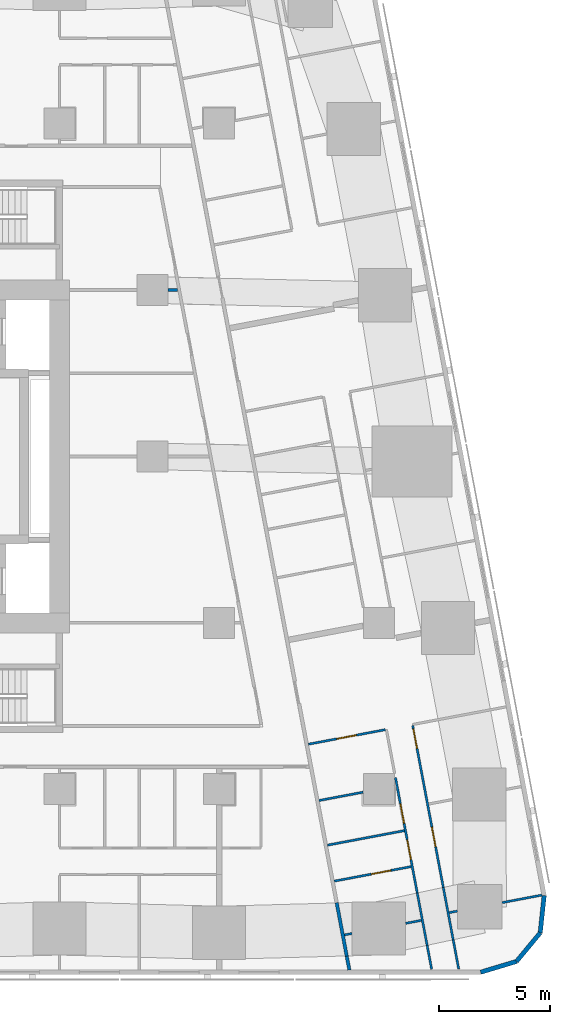
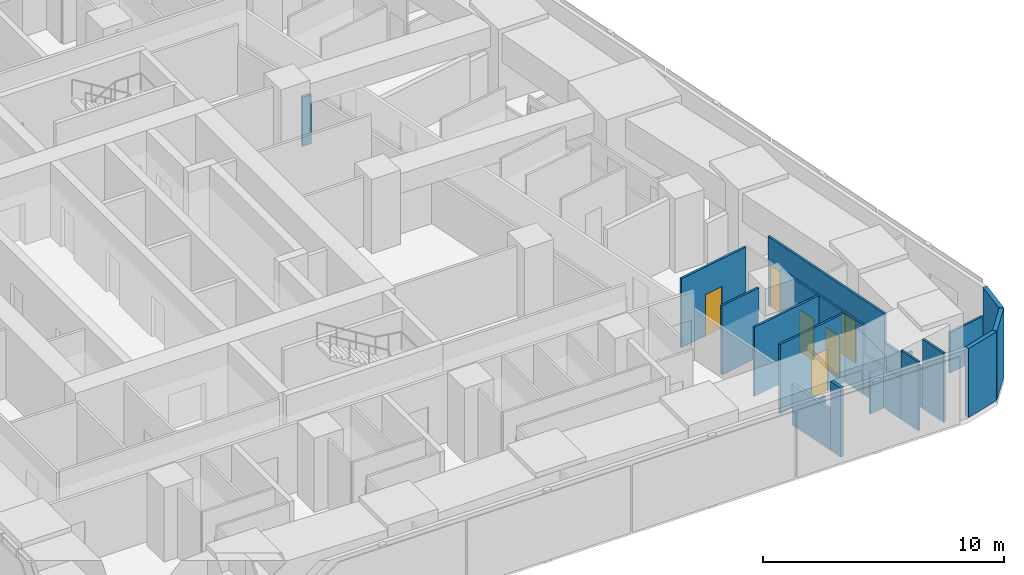
# One storey, part 10 of 17: 20 walls, 6 doors, 6 openings.
"""IFC4 building model written with IfcOpenShell, lengths in metres."""

import ifcopenshell
import ifcopenshell.guid

model = None  # the IFC model being written
_history = None  # IfcOwnerHistory: only IFC2X3 demands one
_inside = {}  # id of a spatial element -> (the spatial element, [elements in it])
_under = {}  # id of a project, library or spatial element -> (it, [spatial elements below it])
_declared = {}  # id of a project -> (the project, [libraries it declares])
_typed = {}  # id of a type object -> (the type object, [elements of that type])
_made_of = {}  # id of a material, layer set ... -> (it, [elements and type objects made of it])


def new_model(schema):
    """Start an empty IFC model of exactly this schema.

    Asked for "IFC4X3", IfcOpenShell would pick the latest addendum, in which some entities
    have other attributes; the version numbers below select the first issue.
    IFC2X3 requires an IfcOwnerHistory on every rooted entity: one is made here for all.
    """
    global model, _history
    if schema == "IFC4X3":
        model = ifcopenshell.file(schema_version=(4, 3, 0, 0))
    else:
        model = ifcopenshell.file(schema=schema)
    _inside.clear()
    _under.clear()
    _declared.clear()
    _typed.clear()
    _made_of.clear()
    _history = None
    if model.schema == "IFC2X3":
        org = make("IfcOrganization", Name="unknown")
        user = make(
            "IfcPersonAndOrganization",
            ThePerson=make("IfcPerson", FamilyName="unknown"),
            TheOrganization=org,
        )
        app = make(
            "IfcApplication",
            ApplicationDeveloper=org,
            Version="unknown",
            ApplicationFullName="unknown",
            ApplicationIdentifier="unknown",
        )
        _history = make(
            "IfcOwnerHistory",
            OwningUser=user,
            OwningApplication=app,
            ChangeAction="ADDED",
            CreationDate=0,
        )
    return model


def make(cls, **values):
    """One entity of the class cls with the attributes given. An attribute that is None is left unset."""
    return model.create_entity(
        cls, **{name: value for name, value in values.items() if value is not None}
    )


def rooted(cls, **values):
    """An entity with a GlobalId (a new one), such as an element, a storey or a relation."""
    return make(cls, GlobalId=ifcopenshell.guid.new(), OwnerHistory=_history, **values)


def si_unit(unit_type, name, prefix=None):
    """IfcSIUnit, for example si_unit("LENGTHUNIT", "METRE", prefix="MILLI")."""
    return make("IfcSIUnit", UnitType=unit_type, Prefix=prefix, Name=name)


def assignment(units):
    """IfcUnitAssignment: the units of a project."""
    return None if units is None else make("IfcUnitAssignment", Units=units)


def point(xyz):
    """IfcCartesianPoint."""
    return None if xyz is None else make("IfcCartesianPoint", Coordinates=xyz)


def direction(xyz):
    """IfcDirection."""
    return None if xyz is None else make("IfcDirection", DirectionRatios=xyz)


def frame(location, z_axis=None, x_axis=None):
    """IfcAxis2Placement3D, a coordinate frame: its origin and axes. An axis left out is left unset."""
    return make(
        "IfcAxis2Placement3D",
        Location=point(location),
        Axis=direction(z_axis),
        RefDirection=direction(x_axis),
    )


def frame_2d(location, x_axis=None):
    """IfcAxis2Placement2D, a coordinate frame in the plane: its origin and x axis."""
    return make(
        "IfcAxis2Placement2D", Location=point(location), RefDirection=direction(x_axis)
    )


def origin():
    """The frame at (0, 0, 0) with its axes left unset."""
    return frame((0.0, 0.0, 0.0))


def place(relative_to, where):
    """IfcLocalPlacement: puts the frame where relative to a parent placement (None: the world)."""
    return make(
        "IfcLocalPlacement", PlacementRelTo=relative_to, RelativePlacement=where
    )


def context(
    kind, dimensions, precision=None, world=None, true_north=None, identifier=None
):
    """IfcGeometricRepresentationContext, for example the 3D "Model" context."""
    return make(
        "IfcGeometricRepresentationContext",
        ContextIdentifier=identifier,
        ContextType=kind,
        CoordinateSpaceDimension=dimensions,
        Precision=precision,
        WorldCoordinateSystem=world,
        TrueNorth=true_north,
    )


def subcontext(parent, identifier, kind, view, scale=None):
    """IfcGeometricRepresentationSubContext, for example "Body" below "Model"."""
    return make(
        "IfcGeometricRepresentationSubContext",
        ContextIdentifier=identifier,
        ContextType=kind,
        ParentContext=parent,
        TargetScale=scale,
        TargetView=view,
    )


def project(units=None, contexts=None):
    """IfcProject with its units and contexts."""
    return rooted(
        "IfcProject",
        Name="project",
        RepresentationContexts=contexts,
        UnitsInContext=assignment(units),
    )


def spatial(cls, under=None, at=None, **own):
    """A site, building, storey or space (cls), placed at a placement, below another one or the project."""
    s = rooted(cls, ObjectPlacement=at, **own)
    if under is not None:
        _under.setdefault(under.id(), (under, []))[1].append(s)
    return s


def profile(cls, at=None, kind="AREA", **sizes):
    """A parametric profile (cls). Its sizes go by their IFC names, for example OverallWidth=200.0."""
    return make(cls, ProfileType=kind, Position=at, **sizes)


def rectangle(**sizes):
    """IfcRectangleProfileDef."""
    return profile("IfcRectangleProfileDef", **sizes)


def extrude(swept, where, along, depth):
    """IfcExtrudedAreaSolid: the profile swept, set in the frame where, extruded along a direction by depth."""
    return make(
        "IfcExtrudedAreaSolid",
        SweptArea=swept,
        Position=where,
        ExtrudedDirection=direction(along),
        Depth=depth,
    )


def shape(context_of_items, identifier, shape_type, items):
    """IfcShapeRepresentation: the items that make up one representation, for example the "Body"."""
    return make(
        "IfcShapeRepresentation",
        ContextOfItems=context_of_items,
        RepresentationIdentifier=identifier,
        RepresentationType=shape_type,
        Items=items,
    )


def material(Name=None, Category=None):
    """IfcMaterial."""
    return make("IfcMaterial", Name=Name, Category=Category)


def layer(
    of_material, thickness, ventilated=None, Name=None, Category=None, Priority=None
):
    """IfcMaterialLayer: one layer of a wall or slab, of a material (None: an air gap)."""
    return make(
        "IfcMaterialLayer",
        Material=of_material,
        LayerThickness=thickness,
        IsVentilated=ventilated,
        Name=Name,
        Category=Category,
        Priority=Priority,
    )


def layer_set(layers, Name=None):
    """IfcMaterialLayerSet."""
    return make("IfcMaterialLayerSet", MaterialLayers=layers, LayerSetName=Name)


def made_of(thing, what):
    """Note that an element or type object is made of a material, layer set ...; save() writes the relation."""
    if what is not None:
        _made_of.setdefault(what.id(), (what, []))[1].append(thing)
    return thing


def type_object(cls, material=None, **own):
    """A type object (cls), such as IfcWallType, which elements share."""
    return made_of(rooted(cls, **own), material)


def element(
    cls,
    number,
    at=None,
    inside=None,
    cuts=None,
    type_object=None,
    material=None,
    context=None,
    identifier="Body",
    shape_type=None,
    held_by="IfcProductDefinitionShape",
    body=None,
    shapes=None,
    **own,
):
    """One element of the class cls, such as IfcWall. Its Tag is "e" and its number.

    at: its placement. inside: the storey or other place that contains it. cuts: it is an
    opening in that element (IfcRelVoidsElement). A single representation is given by context,
    identifier, shape_type and body (its items); several are given by shapes. held_by: the class
    of the entity that holds the representations. save() writes the other relations.
    """
    e = rooted(cls, Tag="e%d" % number, ObjectPlacement=at, **own)
    if body is not None:
        shapes = [shape(context, identifier, shape_type, body)]
    if shapes is not None:
        e.Representation = make(held_by, Representations=shapes)
    if inside is not None:
        _inside.setdefault(inside.id(), (inside, []))[1].append(e)
    if cuts is not None:
        rooted(
            "IfcRelVoidsElement", RelatingBuildingElement=cuts, RelatedOpeningElement=e
        )
    if type_object is not None:
        _typed.setdefault(type_object.id(), (type_object, []))[1].append(e)
    return made_of(e, material)


def fill(opening, filler):
    """IfcRelFillsElement: the door or window that sits in an opening."""
    return rooted(
        "IfcRelFillsElement",
        RelatingOpeningElement=opening,
        RelatedBuildingElement=filler,
    )


def aggregate(whole, parts):
    """IfcRelAggregates: a whole, such as a stair, and the parts it consists of."""
    return rooted("IfcRelAggregates", RelatingObject=whole, RelatedObjects=parts)


def save(model, path):
    """Write the relations noted so far, then the file.

    IfcRelAggregates (storeys below a building ...), IfcRelContainedInSpatialStructure (elements
    in a storey), IfcRelDefinesByType, IfcRelAssociatesMaterial and IfcRelDeclares: one each for
    every whole, place, type object, material and project.
    """
    for whole, parts in _under.values():
        aggregate(whole, parts)
    for where, things in _inside.values():
        rooted(
            "IfcRelContainedInSpatialStructure",
            RelatedElements=things,
            RelatingStructure=where,
        )
    for kind, things in _typed.values():
        rooted("IfcRelDefinesByType", RelatedObjects=things, RelatingType=kind)
    for what, things in _made_of.values():
        rooted("IfcRelAssociatesMaterial", RelatedObjects=things, RelatingMaterial=what)
    for by, libraries in _declared.values():
        rooted("IfcRelDeclares", RelatingContext=by, RelatedDefinitions=libraries)
    model.write(path)


model = new_model("IFC4")

# Units and contexts
model_context = context("Model", 3, precision=1e-05, world=origin(), true_north=direction((0.0, 1.0)))
body_context = subcontext(model_context, "Body", "Model", "MODEL_VIEW")
ifc_project = project(units=[si_unit("LENGTHUNIT", "METRE"), si_unit("AREAUNIT", "SQUARE_METRE"), si_unit("VOLUMEUNIT", "CUBIC_METRE"), si_unit("PLANEANGLEUNIT", "RADIAN"), si_unit("MASSUNIT", "GRAM", prefix="KILO")], contexts=[model_context])

# Site, building, storey
site_placement = place(None, origin())
site = spatial("IfcSite", under=ifc_project, at=site_placement, CompositionType="ELEMENT")
building_placement = place(site_placement, origin())
building = spatial("IfcBuilding", under=site, at=building_placement, Name="Sheger Commons Tower", CompositionType="ELEMENT")
storey_placement = place(building_placement, frame((0.0, 0.0, 204.949951171875)))
storey = spatial("IfcBuildingStorey", under=building, at=storey_placement, Name="L52", CompositionType="ELEMENT", Elevation=204.949951171875)

# Walls
ifc_material_1 = material(Name="Hollow concrete block masonry, skimmed both sides", Category="masonry")
ifc_layer_1 = layer(ifc_material_1, 0.14990234375)
ifc_layer_set_1 = layer_set([ifc_layer_1], Name="CORRIDOR WALL 150")
wall_type_1 = type_object("IfcWallType", Name="CORRIDOR WALL 150", PredefinedType="SOLIDWALL", material=ifc_layer_set_1)
wall_1_placement = place(storey_placement, frame((41.299072265625, 2.385009765625, 0.0), z_axis=(0.0, 0.0, 1.0), x_axis=(0.18529731833, -0.982682504077, 0.0)))
element("IfcWall", 1, at=wall_1_placement, inside=storey, type_object=wall_type_1, Name="Corridor wall L52", PredefinedType="SOLIDWALL", context=body_context, shape_type="SweptSolid", body=[
    extrude(rectangle(XDim=2.45458984375, YDim=0.14990234375, at=frame_2d((1.227294921875, 0.0))), origin(), (0.0, 0.0, 1.0), 2.050048828125),
])
wall_2_placement = place(storey_placement, frame((41.75390625, -0.027099609375, 0.0), z_axis=(0.0, 0.0, 1.0), x_axis=(0.186404157015, -0.982473149886, 0.0)))
element("IfcWall", 2, at=wall_2_placement, inside=storey, type_object=wall_type_1, Name="Corridor wall L52", PredefinedType="SOLIDWALL", context=body_context, shape_type="SweptSolid", body=[
    extrude(rectangle(XDim=0.634033203125, YDim=0.14990234375, at=frame_2d((0.31689453125, 0.0))), origin(), (0.0, 0.0, 1.0), 3.5),
])
ifc_material_2 = material(Name="Rendered concrete block masonry, dark grey", Category="masonry")
ifc_layer_2 = layer(ifc_material_2, 0.199951171875)
ifc_layer_set_2 = layer_set([ifc_layer_2], Name="FACADE WALL 200")
wall_type_2 = type_object("IfcWallType", Name="FACADE WALL 200", PredefinedType="SOLIDWALL", material=ifc_layer_set_2)
wall_3_placement = place(storey_placement, frame((47.791015625, -0.75, 0.0), z_axis=(0.0, 0.0, 1.0), x_axis=(0.957455232626, 0.288581838509, 0.0)))
element("IfcWall", 3, at=wall_3_placement, inside=storey, type_object=wall_type_2, Name="Facade wall L52", PredefinedType="SOLIDWALL", context=body_context, shape_type="SweptSolid", body=[
    extrude(rectangle(XDim=1.687744140625, YDim=0.199951171875, at=frame_2d((0.84375, 0.0))), origin(), (0.0, 0.0, 1.0), 3.5),
])
wall_4_placement = place(storey_placement, frame((49.406982421875, -0.262939453125, 0.0), z_axis=(0.0, 0.0, 1.0), x_axis=(0.638042593423, 0.770001070764, 0.0)))
element("IfcWall", 4, at=wall_4_placement, inside=storey, type_object=wall_type_2, Name="Facade wall L52", PredefinedType="SOLIDWALL", context=body_context, shape_type="SweptSolid", body=[
    extrude(rectangle(XDim=1.672607421875, YDim=0.199951171875, at=frame_2d((0.83642578125, 0.0))), origin(), (0.0, 0.0, 1.0), 3.5),
])
wall_5_placement = place(storey_placement, frame((50.47412109375, 1.02490234375, 0.0), z_axis=(0.0, 0.0, 1.0), x_axis=(0.106047815515, 0.994361031429, 0.0)))
element("IfcWall", 5, at=wall_5_placement, inside=storey, type_object=wall_type_2, Name="Facade wall L52", PredefinedType="SOLIDWALL", context=body_context, shape_type="SweptSolid", body=[
    extrude(rectangle(XDim=1.6875, YDim=0.199951171875, at=frame_2d((0.84375, 0.0))), origin(), (0.0, 0.0, 1.0), 3.5),
])

# Wall, openings, doors
ifc_material_3 = material(Name="Gypsum board on steel studs", Category="steel")
ifc_layer_3 = layer(ifc_material_3, 0.10009765625)
ifc_layer_set_3 = layer_set([ifc_layer_3], Name="PARTITION 100")
wall_type_3 = type_object("IfcWallType", Name="PARTITION 100", PredefinedType="PARTITIONING", material=ifc_layer_set_3)
wall_6_placement = place(storey_placement, frame((44.72705078125, 10.365966796875, 0.0), z_axis=(0.0, 0.0, 1.0), x_axis=(0.185678775129, -0.982610498858, 0.0)))
wall_6 = element("IfcWall", 6, at=wall_6_placement, inside=storey, type_object=wall_type_3, Name="Partition L52", PredefinedType="PARTITIONING", context=body_context, shape_type="SweptSolid", body=[
    extrude(rectangle(XDim=7.421142578125, YDim=0.10009765625, at=frame_2d((3.71044921875, 0.0))), origin(), (0.0, 0.0, 1.0), 3.5),
])
opening_1_placement = place(wall_6_placement, frame((0.15087890625, 0.0, 0.0)))
opening_1 = element("IfcOpeningElement", 7, at=opening_1_placement, cuts=wall_6, Name="Opening D2", PredefinedType="OPENING", context=body_context, shape_type="SweptSolid", body=[
    extrude(rectangle(XDim=0.89990234375, YDim=2.10009765625, at=frame_2d((0.449951171875, 1.050048828125))), frame((0.0, 0.06005859375, 0.0), z_axis=(0.0, -1.0, 0.0), x_axis=(1.0, 0.0, 0.0)), (0.0, 0.0, 1.0), 0.1201171875),
])
opening_2_placement = place(wall_6_placement, frame((4.64990234375, 0.0, 0.0)))
opening_2 = element("IfcOpeningElement", 8, at=opening_2_placement, cuts=wall_6, Name="Opening D2", PredefinedType="OPENING", context=body_context, shape_type="SweptSolid", body=[
    extrude(rectangle(XDim=0.89990234375, YDim=2.10009765625, at=frame_2d((0.449951171875, 1.050048828125))), frame((0.0, 0.06005859375, 0.0), z_axis=(0.0, -1.0, 0.0), x_axis=(1.0, 0.0, 0.0)), (0.0, 0.0, 1.0), 0.1201171875),
])
ifc_material_4 = material(Name="Timber door set", Category="wood")
door_type = type_object("IfcDoorType", Name="INTERNAL DOOR 900x2100", OperationType="NOTDEFINED", PredefinedType="DOOR", material=ifc_material_4)
door_1_placement = place(opening_1_placement, origin())
door_1 = element("IfcDoor", 9, at=door_1_placement, inside=storey, type_object=door_type, Name="Main bedroom door", OperationType="SINGLE_SWING_LEFT", OverallHeight=2.10009765625, OverallWidth=0.89990234375, PredefinedType="DOOR", context=body_context, shape_type="SweptSolid", body=[
    extrude(rectangle(XDim=0.89990234375, YDim=2.10009765625, at=frame_2d((0.449951171875, 1.050048828125))), frame((0.0, 0.02490234375, 0.0), z_axis=(0.0, -1.0, 0.0), x_axis=(1.0, 0.0, 0.0)), (0.0, 0.0, 1.0), 0.050048828125),
])
fill(opening_1, door_1)
door_2_placement = place(opening_2_placement, origin())
door_2 = element("IfcDoor", 10, at=door_2_placement, inside=storey, type_object=door_type, Name="Bedroom 2 door", OperationType="SINGLE_SWING_LEFT", OverallHeight=2.10009765625, OverallWidth=0.89990234375, PredefinedType="DOOR", context=body_context, shape_type="SweptSolid", body=[
    extrude(rectangle(XDim=0.89990234375, YDim=2.10009765625, at=frame_2d((0.449951171875, 1.050048828125))), frame((0.0, 0.02490234375, 0.0), z_axis=(0.0, -1.0, 0.0), x_axis=(1.0, 0.0, 0.0)), (0.0, 0.0, 1.0), 0.050048828125),
])
fill(opening_2, door_2)

# Walls
wall_7_placement = place(storey_placement, frame((46.10498046875, 3.073974609375, 0.0), z_axis=(0.0, 0.0, 1.0), x_axis=(0.185631845838, -0.982619365681, 0.0)))
element("IfcWall", 11, at=wall_7_placement, inside=storey, type_object=wall_type_3, Name="Partition L52", PredefinedType="PARTITIONING", context=body_context, shape_type="SweptSolid", body=[
    extrude(rectangle(XDim=2.40283203125, YDim=0.10009765625, at=frame_2d((1.201416015625, 0.0))), origin(), (0.0, 0.0, 1.0), 2.050048828125),
])
wall_8_placement = place(storey_placement, frame((46.551025390625, 0.712890625, 0.0), z_axis=(0.0, 0.0, 1.0), x_axis=(0.185407859198, -0.982661653748, 0.0)))
element("IfcWall", 12, at=wall_8_placement, inside=storey, type_object=wall_type_3, Name="Partition L52", PredefinedType="PARTITIONING", context=body_context, shape_type="SweptSolid", body=[
    extrude(rectangle(XDim=1.343017578125, YDim=0.10009765625, at=frame_2d((0.67138671875, 0.0))), origin(), (0.0, 0.0, 1.0), 3.5),
])

# Wall, openings, doors
wall_9_placement = place(storey_placement, frame((43.948974609375, 8.02001953125, 0.0), z_axis=(0.0, 0.0, 1.0), x_axis=(0.185656792073, -0.982614652627, 0.0)))
wall_9 = element("IfcWall", 13, at=wall_9_placement, inside=storey, type_object=wall_type_3, Name="Partition L52", PredefinedType="PARTITIONING", context=body_context, shape_type="SweptSolid", body=[
    extrude(rectangle(XDim=5.2890625, YDim=0.10009765625, at=frame_2d((2.64453125, 0.0))), origin(), (0.0, 0.0, 1.0), 3.5),
])
opening_3_placement = place(wall_9_placement, frame((1.199951171875, 0.0, 0.0)))
opening_3 = element("IfcOpeningElement", 14, at=opening_3_placement, cuts=wall_9, Name="Opening D2", PredefinedType="OPENING", context=body_context, shape_type="SweptSolid", body=[
    extrude(rectangle(XDim=0.89990234375, YDim=2.10009765625, at=frame_2d((0.449951171875, 1.050048828125))), frame((0.0, 0.06005859375, 0.0), z_axis=(0.0, -1.0, 0.0), x_axis=(1.0, 0.0, 0.0)), (0.0, 0.0, 1.0), 0.1201171875),
])
opening_4_placement = place(wall_9_placement, frame((2.85498046875, 0.0, 0.0)))
opening_4 = element("IfcOpeningElement", 15, at=opening_4_placement, cuts=wall_9, Name="Opening D2", PredefinedType="OPENING", context=body_context, shape_type="SweptSolid", body=[
    extrude(rectangle(XDim=0.89990234375, YDim=2.10009765625, at=frame_2d((0.449951171875, 1.050048828125))), frame((0.0, 0.06005859375, 0.0), z_axis=(0.0, -1.0, 0.0), x_axis=(1.0, 0.0, 0.0)), (0.0, 0.0, 1.0), 0.1201171875),
])
door_3_placement = place(opening_3_placement, origin())
door_3 = element("IfcDoor", 16, at=door_3_placement, inside=storey, type_object=door_type, Name="Bathroom door", OperationType="SINGLE_SWING_LEFT", OverallHeight=2.10009765625, OverallWidth=0.89990234375, PredefinedType="DOOR", context=body_context, shape_type="SweptSolid", body=[
    extrude(rectangle(XDim=0.89990234375, YDim=2.10009765625, at=frame_2d((0.449951171875, 1.050048828125))), frame((0.0, 0.02490234375, 0.0), z_axis=(0.0, -1.0, 0.0), x_axis=(1.0, 0.0, 0.0)), (0.0, 0.0, 1.0), 0.050048828125),
])
fill(opening_3, door_3)
door_4_placement = place(opening_4_placement, origin())
door_4 = element("IfcDoor", 17, at=door_4_placement, inside=storey, type_object=door_type, Name="Store door", OperationType="SINGLE_SWING_LEFT", OverallHeight=2.10009765625, OverallWidth=0.89990234375, PredefinedType="DOOR", context=body_context, shape_type="SweptSolid", body=[
    extrude(rectangle(XDim=0.89990234375, YDim=2.10009765625, at=frame_2d((0.449951171875, 1.050048828125))), frame((0.0, 0.02490234375, 0.0), z_axis=(0.0, -1.0, 0.0), x_axis=(1.0, 0.0, 0.0)), (0.0, 0.0, 1.0), 0.050048828125),
])
fill(opening_4, door_4)

# Walls
wall_10_placement = place(storey_placement, frame((44.930908203125, 2.822998046875, 0.0), z_axis=(0.0, 0.0, 1.0), x_axis=(0.185631845838, -0.982619365681, 0.0)))
element("IfcWall", 18, at=wall_10_placement, inside=storey, type_object=wall_type_3, Name="Partition L52", PredefinedType="PARTITIONING", context=body_context, shape_type="SweptSolid", body=[
    extrude(rectangle(XDim=2.40283203125, YDim=0.10009765625, at=frame_2d((1.201416015625, 0.0))), origin(), (0.0, 0.0, 1.0), 2.050048828125),
])
wall_11_placement = place(storey_placement, frame((45.376953125, 0.4619140625, 0.0), z_axis=(0.0, 0.0, 1.0), x_axis=(0.185513480919, -0.982641719243, 0.0)))
element("IfcWall", 19, at=wall_11_placement, inside=storey, type_object=wall_type_3, Name="Partition L52", PredefinedType="PARTITIONING", context=body_context, shape_type="SweptSolid", body=[
    extrude(rectangle(XDim=1.094970703125, YDim=0.10009765625, at=frame_2d((0.54736328125, 0.0))), origin(), (0.0, 0.0, 1.0), 3.5),
])
wall_12_placement = place(storey_placement, frame((50.547119140625, 2.72607421875, 0.0), z_axis=(0.0, 0.0, 1.0), x_axis=(-0.982603988143, -0.185713226471, 0.0)))
element("IfcWall", 20, at=wall_12_placement, inside=storey, type_object=wall_type_3, Name="Partition L52", PredefinedType="PARTITIONING", context=body_context, shape_type="SweptSolid", body=[
    extrude(rectangle(XDim=1.82080078125, YDim=0.10009765625, at=frame_2d((0.910400390625, 0.0))), origin(), (0.0, 0.0, 1.0), 2.050048828125),
])
wall_13_placement = place(storey_placement, frame((46.738037109375, 2.006103515625, 0.0), z_axis=(0.0, 0.0, 1.0), x_axis=(-0.982820466874, -0.184564161994, 0.0)))
element("IfcWall", 21, at=wall_13_placement, inside=storey, type_object=wall_type_3, Name="Partition L52", PredefinedType="PARTITIONING", context=body_context, shape_type="SweptSolid", body=[
    extrude(rectangle(XDim=0.374267578125, YDim=0.10009765625, at=frame_2d((0.18701171875, 0.0))), origin(), (0.0, 0.0, 1.0), 2.050048828125),
])

# Wall, opening, door
wall_14_placement = place(storey_placement, frame((43.489990234375, 10.18310546875, 0.0), z_axis=(0.0, 0.0, 1.0), x_axis=(-0.982588017646, -0.185797706064, 0.0)))
wall_14 = element("IfcWall", 22, at=wall_14_placement, inside=storey, type_object=wall_type_3, Name="Partition L52", PredefinedType="PARTITIONING", context=body_context, shape_type="SweptSolid", body=[
    extrude(rectangle(XDim=3.525390625, YDim=0.10009765625, at=frame_2d((1.7626953125, 0.0))), origin(), (0.0, 0.0, 1.0), 3.5),
])
opening_5_placement = place(wall_14_placement, frame((1.324951171875, 0.0, 0.0)))
opening_5 = element("IfcOpeningElement", 23, at=opening_5_placement, cuts=wall_14, Name="Opening D2", PredefinedType="OPENING", context=body_context, shape_type="SweptSolid", body=[
    extrude(rectangle(XDim=0.89990234375, YDim=2.10009765625, at=frame_2d((0.449951171875, 1.050048828125))), frame((0.0, 0.06005859375, 0.0), z_axis=(0.0, -1.0, 0.0), x_axis=(1.0, 0.0, 0.0)), (0.0, 0.0, 1.0), 0.1201171875),
])
door_5_placement = place(opening_5_placement, origin())
door_5 = element("IfcDoor", 24, at=door_5_placement, inside=storey, type_object=door_type, Name="Store door", OperationType="SINGLE_SWING_LEFT", OverallHeight=2.10009765625, OverallWidth=0.89990234375, PredefinedType="DOOR", context=body_context, shape_type="SweptSolid", body=[
    extrude(rectangle(XDim=0.89990234375, YDim=2.10009765625, at=frame_2d((0.449951171875, 1.050048828125))), frame((0.0, 0.02490234375, 0.0), z_axis=(0.0, -1.0, 0.0), x_axis=(1.0, 0.0, 0.0)), (0.0, 0.0, 1.0), 0.050048828125),
])
fill(opening_5, door_5)

# Walls
wall_15_placement = place(storey_placement, frame((42.489990234375, 7.365966796875, 0.0), z_axis=(0.0, 0.0, 1.0), x_axis=(-0.982620917875, -0.185623629302, 0.0)))
element("IfcWall", 25, at=wall_15_placement, inside=storey, type_object=wall_type_3, Name="Partition L52", PredefinedType="PARTITIONING", context=body_context, shape_type="SweptSolid", body=[
    extrude(rectangle(XDim=2.020263671875, YDim=0.10009765625, at=frame_2d((1.01025390625, 0.0))), origin(), (0.0, 0.0, 1.0), 3.5),
])
wall_16_placement = place(storey_placement, frame((45.114013671875, 1.5869140625, 0.0), z_axis=(0.0, 0.0, 1.0), x_axis=(-0.982671022916, -0.185358195723, 0.0)))
element("IfcWall", 26, at=wall_16_placement, inside=storey, type_object=wall_type_3, Name="Partition L52", PredefinedType="PARTITIONING", context=body_context, shape_type="SweptSolid", body=[
    extrude(rectangle(XDim=0.716552734375, YDim=0.10009765625, at=frame_2d((0.3583984375, 0.0))), origin(), (0.0, 0.0, 1.0), 2.050048828125),
])
wall_17_placement = place(storey_placement, frame((41.989990234375, 0.99609375, 0.0), z_axis=(0.0, 0.0, 1.0), x_axis=(-0.982639822555, -0.185523527159, 0.0)))
element("IfcWall", 27, at=wall_17_placement, inside=storey, type_object=wall_type_3, Name="Partition L52", PredefinedType="PARTITIONING", context=body_context, shape_type="SweptSolid", body=[
    extrude(rectangle(XDim=0.34619140625, YDim=0.10009765625, at=frame_2d((0.173095703125, 0.0))), origin(), (0.0, 0.0, 1.0), 2.050048828125),
])
wall_18_placement = place(storey_placement, frame((44.35009765625, 5.631103515625, 0.0), z_axis=(0.0, 0.0, 1.0), x_axis=(-0.982638553676, -0.185530247748, 0.0)))
element("IfcWall", 28, at=wall_18_placement, inside=storey, type_object=wall_type_3, Name="Partition L52", PredefinedType="PARTITIONING", context=body_context, shape_type="SweptSolid", body=[
    extrude(rectangle(XDim=3.525390625, YDim=0.10009765625, at=frame_2d((1.7626953125, 0.0))), origin(), (0.0, 0.0, 1.0), 3.5),
])

# Wall, opening, door
wall_19_placement = place(storey_placement, frame((41.19189453125, 3.35595703125, 0.0), z_axis=(0.0, 0.0, 1.0), x_axis=(0.982588017646, 0.185797706064, 0.0)))
wall_19 = element("IfcWall", 29, at=wall_19_placement, inside=storey, type_object=wall_type_3, Name="Partition L52", PredefinedType="PARTITIONING", context=body_context, shape_type="SweptSolid", body=[
    extrude(rectangle(XDim=3.525390625, YDim=0.10009765625, at=frame_2d((1.7626953125, 0.0))), origin(), (0.0, 0.0, 1.0), 3.5),
])
opening_6_placement = place(wall_19_placement, frame((1.699951171875, 0.0, 0.0)))
opening_6 = element("IfcOpeningElement", 30, at=opening_6_placement, cuts=wall_19, Name="Opening D2", PredefinedType="OPENING", context=body_context, shape_type="SweptSolid", body=[
    extrude(rectangle(XDim=0.89990234375, YDim=2.10009765625, at=frame_2d((0.449951171875, 1.050048828125))), frame((0.0, 0.06005859375, 0.0), z_axis=(0.0, -1.0, 0.0), x_axis=(1.0, 0.0, 0.0)), (0.0, 0.0, 1.0), 0.1201171875),
])
door_6_placement = place(opening_6_placement, origin())
door_6 = element("IfcDoor", 31, at=door_6_placement, inside=storey, type_object=door_type, Name="Store door", OperationType="SINGLE_SWING_RIGHT", OverallHeight=2.10009765625, OverallWidth=0.89990234375, PredefinedType="DOOR", context=body_context, shape_type="SweptSolid", body=[
    extrude(rectangle(XDim=0.89990234375, YDim=2.10009765625, at=frame_2d((0.449951171875, 1.050048828125))), frame((0.0, 0.02490234375, 0.0), z_axis=(0.0, -1.0, 0.0), x_axis=(1.0, 0.0, 0.0)), (0.0, 0.0, 1.0), 0.050048828125),
])
fill(opening_6, door_6)

# Wall
ifc_material_5 = material(Name="Gypsum board on steel studs, two layers each side, fire rated", Category="steel")
ifc_layer_4 = layer(ifc_material_5, 0.125)
ifc_layer_set_4 = layer_set([ifc_layer_4], Name="SERVICE WALL 125")
wall_type_4 = type_object("IfcWallType", Name="SERVICE WALL 125", PredefinedType="PARTITIONING", material=ifc_layer_set_4)
wall_20_placement = place(storey_placement, frame((33.700927734375, 30.0, 0.0), z_axis=(0.0, 0.0, 1.0), x_axis=(1.0, 0.0, 0.0)))
element("IfcWall", 32, at=wall_20_placement, inside=storey, type_object=wall_type_4, Name="Service room wall L52", PredefinedType="PARTITIONING", context=body_context, shape_type="SweptSolid", body=[
    extrude(rectangle(XDim=0.424072265625, YDim=0.125, at=frame_2d((0.2119140625, 0.0))), origin(), (0.0, 0.0, 1.0), 2.5),
])

save(model, "model.ifc")
